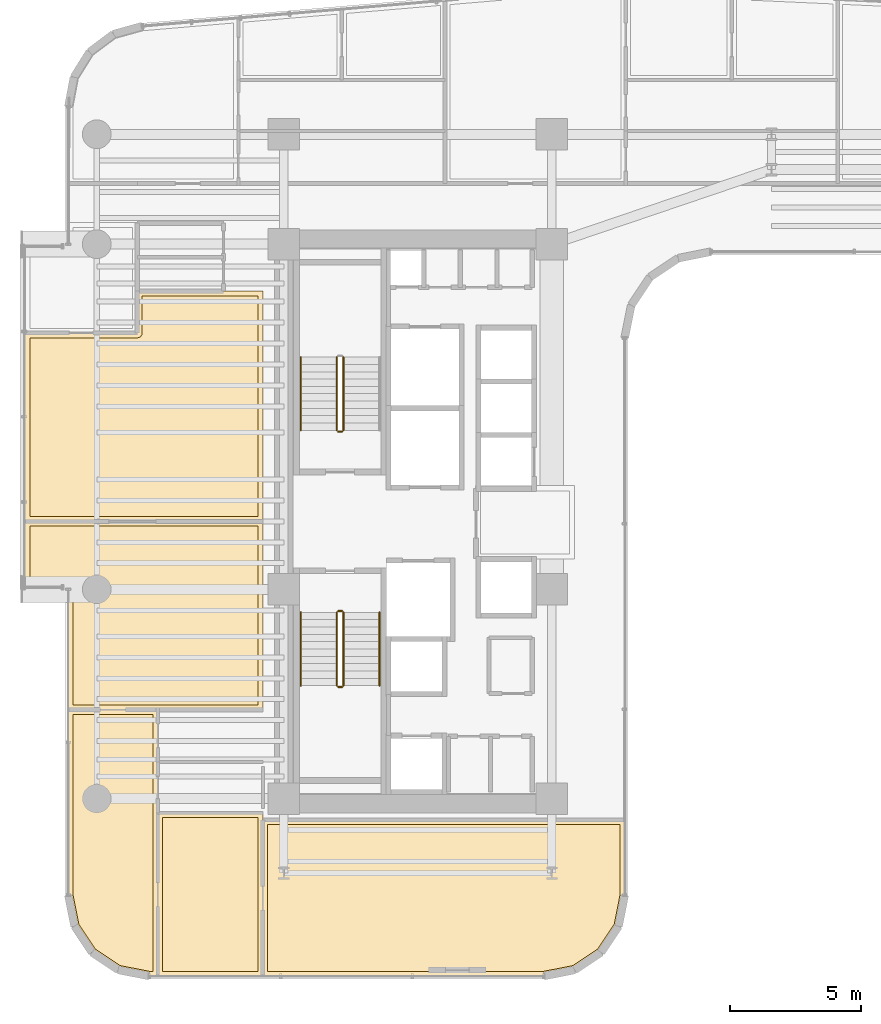
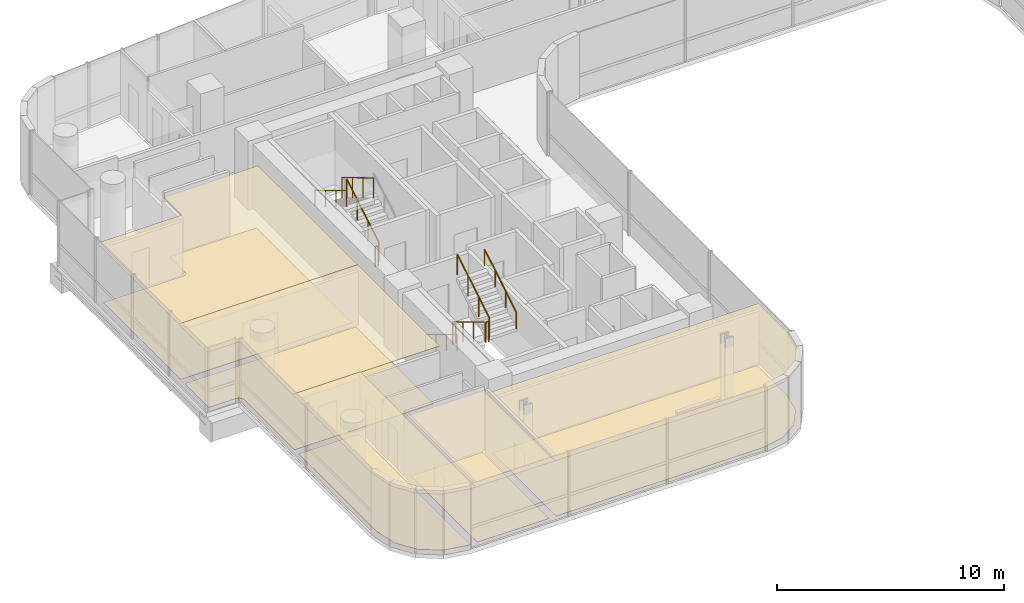
# One storey, part 32 of 36: 10 coverings, 10 railings.
"""IFC4 building model written with IfcOpenShell, lengths in metres."""

import ifcopenshell
import ifcopenshell.guid

model = None  # the IFC model being written
_history = None  # IfcOwnerHistory: only IFC2X3 demands one
_inside = {}  # id of a spatial element -> (the spatial element, [elements in it])
_under = {}  # id of a project, library or spatial element -> (it, [spatial elements below it])
_declared = {}  # id of a project -> (the project, [libraries it declares])
_typed = {}  # id of a type object -> (the type object, [elements of that type])
_made_of = {}  # id of a material, layer set ... -> (it, [elements and type objects made of it])


def new_model(schema):
    """Start an empty IFC model of exactly this schema.

    Asked for "IFC4X3", IfcOpenShell would pick the latest addendum, in which some entities
    have other attributes; the version numbers below select the first issue.
    IFC2X3 requires an IfcOwnerHistory on every rooted entity: one is made here for all.
    """
    global model, _history
    if schema == "IFC4X3":
        model = ifcopenshell.file(schema_version=(4, 3, 0, 0))
    else:
        model = ifcopenshell.file(schema=schema)
    _inside.clear()
    _under.clear()
    _declared.clear()
    _typed.clear()
    _made_of.clear()
    _history = None
    if model.schema == "IFC2X3":
        org = make("IfcOrganization", Name="unknown")
        user = make(
            "IfcPersonAndOrganization",
            ThePerson=make("IfcPerson", FamilyName="unknown"),
            TheOrganization=org,
        )
        app = make(
            "IfcApplication",
            ApplicationDeveloper=org,
            Version="unknown",
            ApplicationFullName="unknown",
            ApplicationIdentifier="unknown",
        )
        _history = make(
            "IfcOwnerHistory",
            OwningUser=user,
            OwningApplication=app,
            ChangeAction="ADDED",
            CreationDate=0,
        )
    return model


def make(cls, **values):
    """One entity of the class cls with the attributes given. An attribute that is None is left unset."""
    return model.create_entity(
        cls, **{name: value for name, value in values.items() if value is not None}
    )


def rooted(cls, **values):
    """An entity with a GlobalId (a new one), such as an element, a storey or a relation."""
    return make(cls, GlobalId=ifcopenshell.guid.new(), OwnerHistory=_history, **values)


def si_unit(unit_type, name, prefix=None):
    """IfcSIUnit, for example si_unit("LENGTHUNIT", "METRE", prefix="MILLI")."""
    return make("IfcSIUnit", UnitType=unit_type, Prefix=prefix, Name=name)


def assignment(units):
    """IfcUnitAssignment: the units of a project."""
    return None if units is None else make("IfcUnitAssignment", Units=units)


def point(xyz):
    """IfcCartesianPoint."""
    return None if xyz is None else make("IfcCartesianPoint", Coordinates=xyz)


def direction(xyz):
    """IfcDirection."""
    return None if xyz is None else make("IfcDirection", DirectionRatios=xyz)


def frame(location, z_axis=None, x_axis=None):
    """IfcAxis2Placement3D, a coordinate frame: its origin and axes. An axis left out is left unset."""
    return make(
        "IfcAxis2Placement3D",
        Location=point(location),
        Axis=direction(z_axis),
        RefDirection=direction(x_axis),
    )


def frame_2d(location, x_axis=None):
    """IfcAxis2Placement2D, a coordinate frame in the plane: its origin and x axis."""
    return make(
        "IfcAxis2Placement2D", Location=point(location), RefDirection=direction(x_axis)
    )


def origin():
    """The frame at (0, 0, 0) with its axes left unset."""
    return frame((0.0, 0.0, 0.0))


def origin_2d():
    """The frame at (0, 0) in the plane with its x axis left unset."""
    return frame_2d((0.0, 0.0))


def place(relative_to, where):
    """IfcLocalPlacement: puts the frame where relative to a parent placement (None: the world)."""
    return make(
        "IfcLocalPlacement", PlacementRelTo=relative_to, RelativePlacement=where
    )


def context(
    kind, dimensions, precision=None, world=None, true_north=None, identifier=None
):
    """IfcGeometricRepresentationContext, for example the 3D "Model" context."""
    return make(
        "IfcGeometricRepresentationContext",
        ContextIdentifier=identifier,
        ContextType=kind,
        CoordinateSpaceDimension=dimensions,
        Precision=precision,
        WorldCoordinateSystem=world,
        TrueNorth=true_north,
    )


def subcontext(parent, identifier, kind, view, scale=None):
    """IfcGeometricRepresentationSubContext, for example "Body" below "Model"."""
    return make(
        "IfcGeometricRepresentationSubContext",
        ContextIdentifier=identifier,
        ContextType=kind,
        ParentContext=parent,
        TargetScale=scale,
        TargetView=view,
    )


def project(units=None, contexts=None):
    """IfcProject with its units and contexts."""
    return rooted(
        "IfcProject",
        Name="project",
        RepresentationContexts=contexts,
        UnitsInContext=assignment(units),
    )


def spatial(cls, under=None, at=None, **own):
    """A site, building, storey or space (cls), placed at a placement, below another one or the project."""
    s = rooted(cls, ObjectPlacement=at, **own)
    if under is not None:
        _under.setdefault(under.id(), (under, []))[1].append(s)
    return s


def polyline(points):
    """IfcPolyline through the points."""
    return make("IfcPolyline", Points=[point(p) for p in points])


def profile(cls, at=None, kind="AREA", **sizes):
    """A parametric profile (cls). Its sizes go by their IFC names, for example OverallWidth=200.0."""
    return make(cls, ProfileType=kind, Position=at, **sizes)


def circle(**sizes):
    """IfcCircleProfileDef."""
    return profile("IfcCircleProfileDef", **sizes)


def outline(outer, holes=None, kind="AREA"):
    """IfcArbitraryClosedProfileDef: a profile drawn as a closed curve; with holes, ...WithVoids."""
    if holes is None:
        return make("IfcArbitraryClosedProfileDef", ProfileType=kind, OuterCurve=outer)
    return make(
        "IfcArbitraryProfileDefWithVoids",
        ProfileType=kind,
        OuterCurve=outer,
        InnerCurves=holes,
    )


def extrude(swept, where, along, depth):
    """IfcExtrudedAreaSolid: the profile swept, set in the frame where, extruded along a direction by depth."""
    return make(
        "IfcExtrudedAreaSolid",
        SweptArea=swept,
        Position=where,
        ExtrudedDirection=direction(along),
        Depth=depth,
    )


def shape(context_of_items, identifier, shape_type, items):
    """IfcShapeRepresentation: the items that make up one representation, for example the "Body"."""
    return make(
        "IfcShapeRepresentation",
        ContextOfItems=context_of_items,
        RepresentationIdentifier=identifier,
        RepresentationType=shape_type,
        Items=items,
    )


def material(Name=None, Category=None):
    """IfcMaterial."""
    return make("IfcMaterial", Name=Name, Category=Category)


def layer(
    of_material, thickness, ventilated=None, Name=None, Category=None, Priority=None
):
    """IfcMaterialLayer: one layer of a wall or slab, of a material (None: an air gap)."""
    return make(
        "IfcMaterialLayer",
        Material=of_material,
        LayerThickness=thickness,
        IsVentilated=ventilated,
        Name=Name,
        Category=Category,
        Priority=Priority,
    )


def layer_set(layers, Name=None):
    """IfcMaterialLayerSet."""
    return make("IfcMaterialLayerSet", MaterialLayers=layers, LayerSetName=Name)


def made_of(thing, what):
    """Note that an element or type object is made of a material, layer set ...; save() writes the relation."""
    if what is not None:
        _made_of.setdefault(what.id(), (what, []))[1].append(thing)
    return thing


def type_object(cls, material=None, **own):
    """A type object (cls), such as IfcWallType, which elements share."""
    return made_of(rooted(cls, **own), material)


def element(
    cls,
    number,
    at=None,
    inside=None,
    cuts=None,
    type_object=None,
    material=None,
    context=None,
    identifier="Body",
    shape_type=None,
    held_by="IfcProductDefinitionShape",
    body=None,
    shapes=None,
    **own,
):
    """One element of the class cls, such as IfcWall. Its Tag is "e" and its number.

    at: its placement. inside: the storey or other place that contains it. cuts: it is an
    opening in that element (IfcRelVoidsElement). A single representation is given by context,
    identifier, shape_type and body (its items); several are given by shapes. held_by: the class
    of the entity that holds the representations. save() writes the other relations.
    """
    e = rooted(cls, Tag="e%d" % number, ObjectPlacement=at, **own)
    if body is not None:
        shapes = [shape(context, identifier, shape_type, body)]
    if shapes is not None:
        e.Representation = make(held_by, Representations=shapes)
    if inside is not None:
        _inside.setdefault(inside.id(), (inside, []))[1].append(e)
    if cuts is not None:
        rooted(
            "IfcRelVoidsElement", RelatingBuildingElement=cuts, RelatedOpeningElement=e
        )
    if type_object is not None:
        _typed.setdefault(type_object.id(), (type_object, []))[1].append(e)
    return made_of(e, material)


def aggregate(whole, parts):
    """IfcRelAggregates: a whole, such as a stair, and the parts it consists of."""
    return rooted("IfcRelAggregates", RelatingObject=whole, RelatedObjects=parts)


def save(model, path):
    """Write the relations noted so far, then the file.

    IfcRelAggregates (storeys below a building ...), IfcRelContainedInSpatialStructure (elements
    in a storey), IfcRelDefinesByType, IfcRelAssociatesMaterial and IfcRelDeclares: one each for
    every whole, place, type object, material and project.
    """
    for whole, parts in _under.values():
        aggregate(whole, parts)
    for where, things in _inside.values():
        rooted(
            "IfcRelContainedInSpatialStructure",
            RelatedElements=things,
            RelatingStructure=where,
        )
    for kind, things in _typed.values():
        rooted("IfcRelDefinesByType", RelatedObjects=things, RelatingType=kind)
    for what, things in _made_of.values():
        rooted("IfcRelAssociatesMaterial", RelatedObjects=things, RelatingMaterial=what)
    for by, libraries in _declared.values():
        rooted("IfcRelDeclares", RelatingContext=by, RelatedDefinitions=libraries)
    model.write(path)


model = new_model("IFC4")

# Units and contexts
model_context = context("Model", 3, precision=1e-05, world=origin(), true_north=direction((0.0, 1.0)))
body_context = subcontext(model_context, "Body", "Model", "MODEL_VIEW")
ifc_project = project(units=[si_unit("LENGTHUNIT", "METRE"), si_unit("AREAUNIT", "SQUARE_METRE"), si_unit("VOLUMEUNIT", "CUBIC_METRE"), si_unit("PLANEANGLEUNIT", "RADIAN"), si_unit("MASSUNIT", "GRAM", prefix="KILO")], contexts=[model_context])

# Site, building, storey
site_placement = place(None, origin())
site = spatial("IfcSite", under=ifc_project, at=site_placement, CompositionType="ELEMENT")
building_placement = place(site_placement, origin())
building = spatial("IfcBuilding", under=site, at=building_placement, Name="Valdorenza Pilgrim Sanctuary Tower", CompositionType="ELEMENT")
storey_placement = place(building_placement, frame((0.0, 0.0, 109.39990234375)))
storey = spatial("IfcBuildingStorey", under=building, at=storey_placement, Name="L27", CompositionType="ELEMENT", Elevation=109.39990234375)

# Coverings
ifc_material_1 = material(Name="Micro-perforated acoustic mineral ceiling tile", Category="gypsum")
ifc_layer_1 = layer(ifc_material_1, 0.02490234375, Name="Micro-perforated acoustic mineral ceiling tile")
ifc_layer_set_1 = layer_set([ifc_layer_1], Name="Micro-perforated acoustic mineral ceiling tile")
covering_type_1 = type_object("IfcCoveringType", Name="COV-CLG-ACU", PredefinedType="CEILING", material=ifc_layer_set_1)
covering_1_placement = place(storey_placement, frame((0.0, 0.0, 3.16015625)))
element("IfcCovering", 1, at=covering_1_placement, inside=storey, type_object=covering_type_1, Name="L27 Sanctuary Apartment L27-CS1 Bedroom Acoustic Ceiling", PredefinedType="CEILING", context=body_context, shape_type="SweptSolid", body=[
    extrude(outline(polyline([(-27.482666015625, -11.14990234375), (-27.482421875, -11.1484375), (-27.482421875, -11.147216796875), (-27.48193359375, -11.1455078125), (-27.4814453125, -11.144287109375), (-27.480712890625, -11.142822265625), (-27.47998046875, -11.1416015625), (-27.479248046875, -11.140380859375), (-27.478271484375, -11.139404296875), (-27.47705078125, -11.138427734375), (-27.475830078125, -11.137451171875), (-27.474609375, -11.13671875), (-27.473388671875, -11.135986328125), (-27.471923828125, -11.135498046875), (-27.470458984375, -11.13525390625), (-27.468994140625, -11.135009765625), (-27.467529296875, -11.135009765625), (-23.449951171875, -11.135009765625), (-23.448486328125, -11.135009765625), (-23.447021484375, -11.13525390625), (-23.445556640625, -11.135498046875), (-23.4443359375, -11.135986328125), (-23.44287109375, -11.13671875), (-23.441650390625, -11.137451171875), (-23.4404296875, -11.138427734375), (-23.439453125, -11.139404296875), (-23.4384765625, -11.140380859375), (-23.4375, -11.1416015625), (-23.436767578125, -11.142822265625), (-23.43603515625, -11.144287109375), (-23.435546875, -11.1455078125), (-23.435302734375, -11.147216796875), (-23.43505859375, -11.1484375), (-23.43505859375, -11.14990234375), (-23.43505859375, -17.389892578125), (-23.43505859375, -17.3916015625), (-23.435302734375, -17.392822265625), (-23.435546875, -17.394287109375), (-23.43603515625, -17.395751953125), (-23.436767578125, -17.397216796875), (-23.4375, -17.398193359375), (-23.4384765625, -17.3994140625), (-23.439453125, -17.400634765625), (-23.4404296875, -17.401611328125), (-23.441650390625, -17.402587890625), (-23.44287109375, -17.4033203125), (-23.4443359375, -17.40380859375), (-23.445556640625, -17.404296875), (-23.447021484375, -17.40478515625), (-23.448486328125, -17.40478515625), (-23.449951171875, -17.405029296875), (-27.467529296875, -17.405029296875), (-27.468994140625, -17.40478515625), (-27.470458984375, -17.40478515625), (-27.471923828125, -17.404296875), (-27.473388671875, -17.40380859375), (-27.474609375, -17.4033203125), (-27.475830078125, -17.402587890625), (-27.47705078125, -17.401611328125), (-27.478271484375, -17.400634765625), (-27.479248046875, -17.3994140625), (-27.47998046875, -17.398193359375), (-27.480712890625, -17.397216796875), (-27.4814453125, -17.395751953125), (-27.48193359375, -17.394287109375), (-27.482421875, -17.392822265625), (-27.482421875, -17.3916015625), (-27.482666015625, -17.389892578125), (-27.482666015625, -11.14990234375)])), origin(), (0.0, 0.0, 1.0), 0.02490234375),
])
covering_2_placement = place(storey_placement, frame((0.0, 0.0, 3.16015625)))
element("IfcCovering", 2, at=covering_2_placement, inside=storey, type_object=covering_type_1, Name="L27 Sanctuary Apartment L27-CS1 Living Room Acoustic Ceiling", PredefinedType="CEILING", context=body_context, shape_type="SweptSolid", body=[
    extrude(outline(polyline([(-28.984619140625, -17.16748046875), (-28.986083984375, -17.1669921875), (-28.9873046875, -17.16650390625), (-28.98876953125, -17.166015625), (-28.989990234375, -17.165283203125), (-29.99169921875, -16.495849609375), (-29.992919921875, -16.4951171875), (-29.993896484375, -16.493896484375), (-29.9951171875, -16.492919921875), (-29.995849609375, -16.49169921875), (-30.665283203125, -15.489990234375), (-30.666015625, -15.48876953125), (-30.66650390625, -15.4873046875), (-30.6669921875, -15.486083984375), (-30.66748046875, -15.484619140625), (-30.90478515625, -14.2919921875), (-30.90478515625, -14.29052734375), (-30.905029296875, -14.289306640625), (-30.905029296875, -7.199951171875), (-30.90478515625, -7.198486328125), (-30.90478515625, -7.197021484375), (-30.904296875, -7.195556640625), (-30.90380859375, -7.1943359375), (-30.9033203125, -7.19287109375), (-30.902587890625, -7.191650390625), (-30.901611328125, -7.1904296875), (-30.900634765625, -7.189453125), (-30.8994140625, -7.1884765625), (-30.898193359375, -7.1875), (-30.897216796875, -7.186767578125), (-30.895751953125, -7.18603515625), (-30.894287109375, -7.185546875), (-30.892822265625, -7.185302734375), (-30.8916015625, -7.18505859375), (-30.889892578125, -7.18505859375), (-27.467529296875, -7.18505859375), (-27.466064453125, -7.18505859375), (-27.464599609375, -7.185302734375), (-27.463134765625, -7.185546875), (-27.4619140625, -7.18603515625), (-27.46044921875, -7.186767578125), (-27.459228515625, -7.1875), (-27.4580078125, -7.1884765625), (-27.45703125, -7.189453125), (-27.4560546875, -7.1904296875), (-27.455078125, -7.191650390625), (-27.454345703125, -7.19287109375), (-27.45361328125, -7.1943359375), (-27.453125, -7.195556640625), (-27.452880859375, -7.197021484375), (-27.45263671875, -7.198486328125), (-27.45263671875, -7.199951171875), (-27.45263671875, -11.14794921875), (-27.45263671875, -11.1494140625), (-27.452880859375, -11.15087890625), (-27.453369140625, -11.152587890625), (-27.453857421875, -11.15380859375), (-27.45458984375, -11.1552734375), (-27.45458984375, -11.155517578125), (-27.45458984375, -17.389892578125), (-27.45458984375, -17.3916015625), (-27.454833984375, -17.392822265625), (-27.455078125, -17.394287109375), (-27.455810546875, -17.395751953125), (-27.456298828125, -17.397216796875), (-27.45703125, -17.398193359375), (-27.4580078125, -17.3994140625), (-27.458984375, -17.400634765625), (-27.460205078125, -17.401611328125), (-27.461181640625, -17.402587890625), (-27.46240234375, -17.4033203125), (-27.4638671875, -17.40380859375), (-27.465087890625, -17.404296875), (-27.466796875, -17.40478515625), (-27.468017578125, -17.40478515625), (-27.469482421875, -17.405029296875), (-27.789306640625, -17.405029296875), (-27.79052734375, -17.40478515625), (-27.7919921875, -17.40478515625), (-28.984619140625, -17.16748046875)])), origin(), (0.0, 0.0, 1.0), 0.02490234375),
])
covering_3_placement = place(storey_placement, frame((0.0, 0.0, 3.16015625)))
element("IfcCovering", 3, at=covering_3_placement, inside=storey, type_object=covering_type_1, Name="L27 South Contemplation Salon L27 Acoustic Ceiling", PredefinedType="CEILING", context=body_context, shape_type="SweptSolid", body=[
    extrude(outline(polyline([(-27.469482421875, -7.212890625), (-30.889892578125, -7.212890625), (-30.8916015625, -7.212890625), (-30.892822265625, -7.212646484375), (-30.894287109375, -7.21240234375), (-30.895751953125, -7.2119140625), (-30.897216796875, -7.211181640625), (-30.898193359375, -7.21044921875), (-30.8994140625, -7.209716796875), (-30.900634765625, -7.20849609375), (-30.901611328125, -7.20751953125), (-30.902587890625, -7.206298828125), (-30.9033203125, -7.205078125), (-30.90380859375, -7.20361328125), (-30.904296875, -7.202392578125), (-30.90478515625, -7.200927734375), (-30.90478515625, -7.199462890625), (-30.905029296875, -7.197998046875), (-30.905029296875, -2.600341796875), (-30.905517578125, -2.5908203125), (-30.90673828125, -2.58154296875), (-30.9091796875, -2.572509765625), (-30.912109375, -2.563720703125), (-30.916259765625, -2.55517578125), (-30.9208984375, -2.547119140625), (-30.926513671875, -2.539794921875), (-30.932861328125, -2.53271484375), (-30.939697265625, -2.526611328125), (-30.947265625, -2.52099609375), (-30.955078125, -2.51611328125), (-30.963623046875, -2.51220703125), (-30.972412109375, -2.509033203125), (-30.9814453125, -2.5068359375), (-30.99072265625, -2.505615234375), (-31.00048828125, -2.5048828125), (-32.5400390625, -2.5048828125), (-32.54150390625, -2.5048828125), (-32.54296875, -2.504638671875), (-32.54443359375, -2.50439453125), (-32.545654296875, -2.50390625), (-32.547119140625, -2.503173828125), (-32.54833984375, -2.50244140625), (-32.549560546875, -2.501708984375), (-32.550537109375, -2.50048828125), (-32.551513671875, -2.49951171875), (-32.552490234375, -2.498291015625), (-32.55322265625, -2.4970703125), (-32.553955078125, -2.49560546875), (-32.554443359375, -2.494384765625), (-32.5546875, -2.492919921875), (-32.554931640625, -2.491455078125), (-32.554931640625, -2.489990234375), (-32.554931640625, 0.0), (-32.554931640625, 0.00146484375), (-32.5546875, 0.0029296875), (-32.554443359375, 0.00439453125), (-32.553955078125, 0.005615234375), (-32.55322265625, 0.007080078125), (-32.552490234375, 0.00830078125), (-32.551513671875, 0.009521484375), (-32.550537109375, 0.010498046875), (-32.549560546875, 0.01171875), (-32.54833984375, 0.012451171875), (-32.547119140625, 0.01318359375), (-32.545654296875, 0.013916015625), (-32.54443359375, 0.014404296875), (-32.54296875, 0.0146484375), (-32.54150390625, 0.014892578125), (-32.5400390625, 0.014892578125), (-23.449951171875, 0.014892578125), (-23.448486328125, 0.014892578125), (-23.447021484375, 0.0146484375), (-23.445556640625, 0.014404296875), (-23.4443359375, 0.013916015625), (-23.44287109375, 0.01318359375), (-23.441650390625, 0.012451171875), (-23.4404296875, 0.01171875), (-23.439453125, 0.010498046875), (-23.4384765625, 0.009521484375), (-23.4375, 0.00830078125), (-23.436767578125, 0.007080078125), (-23.43603515625, 0.005615234375), (-23.435546875, 0.00439453125), (-23.435302734375, 0.0029296875), (-23.43505859375, 0.00146484375), (-23.43505859375, 0.0), (-23.43505859375, -7.197998046875), (-23.43505859375, -7.199462890625), (-23.435302734375, -7.200927734375), (-23.435546875, -7.202392578125), (-23.43603515625, -7.20361328125), (-23.436767578125, -7.205078125), (-23.4375, -7.206298828125), (-23.4384765625, -7.20751953125), (-23.439453125, -7.20849609375), (-23.4404296875, -7.209716796875), (-23.441650390625, -7.21044921875), (-23.44287109375, -7.211181640625), (-23.4443359375, -7.2119140625), (-23.445556640625, -7.21240234375), (-23.447021484375, -7.212646484375), (-23.448486328125, -7.212890625), (-23.449951171875, -7.212890625), (-27.4638671875, -7.212890625), (-27.464599609375, -7.213134765625), (-27.466064453125, -7.21337890625), (-27.467529296875, -7.213134765625), (-27.468994140625, -7.213134765625), (-27.469482421875, -7.212890625)])), origin(), (0.0, 0.0, 1.0), 0.02490234375),
])
covering_4_placement = place(storey_placement, frame((0.0, 0.0, 3.16015625)))
element("IfcCovering", 4, at=covering_4_placement, inside=storey, type_object=covering_type_1, Name="L27 North Contemplation Salon L27 Acoustic Ceiling", PredefinedType="CEILING", context=body_context, shape_type="SweptSolid", body=[
    extrude(outline(polyline([(-28.262939453125, 7.212890625), (-28.262939453125, 8.798095703125), (-28.262939453125, 8.799560546875), (-28.2626953125, 8.80078125), (-28.262451171875, 8.802490234375), (-28.261962890625, 8.8037109375), (-28.26123046875, 8.80517578125), (-28.260498046875, 8.806396484375), (-28.259521484375, 8.8076171875), (-28.258544921875, 8.80859375), (-28.257568359375, 8.8095703125), (-28.25634765625, 8.810546875), (-28.255126953125, 8.811279296875), (-28.253662109375, 8.81201171875), (-28.25244140625, 8.8125), (-28.2509765625, 8.812744140625), (-28.24951171875, 8.81298828125), (-28.248046875, 8.81298828125), (-24.955322265625, 8.81298828125), (-24.954833984375, 8.813232421875), (-24.95361328125, 8.81396484375), (-24.9521484375, 8.814453125), (-24.95068359375, 8.814697265625), (-24.949462890625, 8.81494140625), (-24.947998046875, 8.81494140625), (-23.449951171875, 8.81494140625), (-23.448486328125, 8.81494140625), (-23.447021484375, 8.814697265625), (-23.445556640625, 8.814453125), (-23.4443359375, 8.81396484375), (-23.44287109375, 8.813232421875), (-23.441650390625, 8.8125), (-23.4404296875, 8.8115234375), (-23.439453125, 8.810546875), (-23.4384765625, 8.8095703125), (-23.4375, 8.808349609375), (-23.436767578125, 8.80712890625), (-23.43603515625, 8.8056640625), (-23.435546875, 8.804443359375), (-23.435302734375, 8.802978515625), (-23.43505859375, 8.801513671875), (-23.43505859375, 8.800048828125), (-23.43505859375, 0.001953125), (-23.43505859375, 0.00048828125), (-23.435302734375, -0.0009765625), (-23.435546875, -0.00244140625), (-23.43603515625, -0.003662109375), (-23.436767578125, -0.005126953125), (-23.4375, -0.00634765625), (-23.4384765625, -0.007568359375), (-23.439453125, -0.008544921875), (-23.4404296875, -0.009521484375), (-23.441650390625, -0.010498046875), (-23.44287109375, -0.01123046875), (-23.4443359375, -0.011962890625), (-23.445556640625, -0.012451171875), (-23.447021484375, -0.0126953125), (-23.448486328125, -0.012939453125), (-23.449951171875, -0.012939453125), (-32.5400390625, -0.012939453125), (-32.54150390625, -0.012939453125), (-32.54296875, -0.0126953125), (-32.54443359375, -0.012451171875), (-32.545654296875, -0.011962890625), (-32.547119140625, -0.01123046875), (-32.54833984375, -0.010498046875), (-32.549560546875, -0.009521484375), (-32.550537109375, -0.008544921875), (-32.551513671875, -0.007568359375), (-32.552490234375, -0.00634765625), (-32.55322265625, -0.005126953125), (-32.553955078125, -0.003662109375), (-32.554443359375, -0.00244140625), (-32.5546875, -0.0009765625), (-32.554931640625, 0.00048828125), (-32.554931640625, 0.001953125), (-32.554931640625, 7.197998046875), (-32.554931640625, 7.199462890625), (-32.5546875, 7.200927734375), (-32.554443359375, 7.202392578125), (-32.553955078125, 7.20361328125), (-32.55322265625, 7.205078125), (-32.552490234375, 7.206298828125), (-32.551513671875, 7.20751953125), (-32.550537109375, 7.20849609375), (-32.549560546875, 7.209716796875), (-32.54833984375, 7.21044921875), (-32.547119140625, 7.211181640625), (-32.545654296875, 7.2119140625), (-32.54443359375, 7.21240234375), (-32.54296875, 7.212646484375), (-32.54150390625, 7.212890625), (-32.5400390625, 7.212890625), (-28.262939453125, 7.212890625)])), origin(), (0.0, 0.0, 1.0), 0.02490234375),
])
covering_5_placement = place(storey_placement, frame((0.0, 0.0, 3.16015625)))
element("IfcCovering", 5, at=covering_5_placement, inside=storey, type_object=covering_type_1, Name="L27 Sacred Archive Reading Library L27-S Acoustic Ceiling", PredefinedType="CEILING", context=body_context, shape_type="SweptSolid", body=[
    extrude(outline(polyline([(-9.610107421875, -11.405029296875), (-9.6083984375, -11.405029296875), (-9.607177734375, -11.4052734375), (-9.605712890625, -11.405517578125), (-9.604248046875, -11.406005859375), (-9.602783203125, -11.40673828125), (-9.601806640625, -11.407470703125), (-9.6005859375, -11.408447265625), (-9.599365234375, -11.409423828125), (-9.598388671875, -11.410400390625), (-9.597412109375, -11.41162109375), (-9.5966796875, -11.412841796875), (-9.59619140625, -11.414306640625), (-9.595703125, -11.41552734375), (-9.59521484375, -11.4169921875), (-9.59521484375, -11.41845703125), (-9.594970703125, -11.419921875), (-9.594970703125, -14.289306640625), (-9.59521484375, -14.29052734375), (-9.59521484375, -14.2919921875), (-9.83251953125, -15.484619140625), (-9.8330078125, -15.486083984375), (-9.83349609375, -15.4873046875), (-9.833984375, -15.48876953125), (-9.834716796875, -15.489990234375), (-10.504150390625, -16.49169921875), (-10.5048828125, -16.492919921875), (-10.506103515625, -16.493896484375), (-10.507080078125, -16.4951171875), (-10.50830078125, -16.495849609375), (-11.510009765625, -17.165283203125), (-11.51123046875, -17.166015625), (-11.5126953125, -17.16650390625), (-11.513916015625, -17.1669921875), (-11.515380859375, -17.16748046875), (-12.7080078125, -17.40478515625), (-12.70947265625, -17.40478515625), (-12.710693359375, -17.405029296875), (-23.447998046875, -17.405029296875), (-23.449462890625, -17.40478515625), (-23.450927734375, -17.40478515625), (-23.452392578125, -17.404296875), (-23.45361328125, -17.40380859375), (-23.455078125, -17.4033203125), (-23.456298828125, -17.402587890625), (-23.45751953125, -17.401611328125), (-23.45849609375, -17.400634765625), (-23.459716796875, -17.3994140625), (-23.46044921875, -17.398193359375), (-23.461181640625, -17.397216796875), (-23.4619140625, -17.395751953125), (-23.46240234375, -17.394287109375), (-23.462646484375, -17.392822265625), (-23.462890625, -17.3916015625), (-23.462890625, -17.389892578125), (-23.462890625, -11.419921875), (-23.462890625, -11.41845703125), (-23.462646484375, -11.4169921875), (-23.46240234375, -11.41552734375), (-23.4619140625, -11.414306640625), (-23.461181640625, -11.412841796875), (-23.46044921875, -11.41162109375), (-23.459716796875, -11.410400390625), (-23.45849609375, -11.409423828125), (-23.45751953125, -11.408447265625), (-23.456298828125, -11.407470703125), (-23.455078125, -11.40673828125), (-23.45361328125, -11.406005859375), (-23.452392578125, -11.405517578125), (-23.450927734375, -11.4052734375), (-23.449462890625, -11.405029296875), (-23.447998046875, -11.405029296875), (-9.610107421875, -11.405029296875)])), origin(), (0.0, 0.0, 1.0), 0.02490234375),
])
ifc_material_2 = material(Name="Engineered European oak timber flooring", Category="wood")
ifc_layer_2 = layer(ifc_material_2, 0.02197265625, Name="Engineered European oak timber flooring")
ifc_layer_set_2 = layer_set([ifc_layer_2], Name="Engineered European oak timber flooring")
covering_type_2 = type_object("IfcCoveringType", Name="COV-FLR-OAK", PredefinedType="FLOORING", material=ifc_layer_set_2)
covering_6_placement = place(storey_placement, origin())
element("IfcCovering", 6, at=covering_6_placement, inside=storey, type_object=covering_type_2, Name="L27 Sanctuary Apartment L27-CS1 Bedroom Flooring", PredefinedType="FLOORING", context=body_context, shape_type="SweptSolid", body=[
    extrude(outline(polyline([(-27.28759765625, -11.330078125), (-23.6298828125, -11.330078125), (-23.6298828125, -17.2099609375), (-27.28759765625, -17.2099609375), (-27.28759765625, -11.330078125)])), origin(), (0.0, 0.0, 1.0), 0.025146484375),
])
covering_7_placement = place(storey_placement, origin())
element("IfcCovering", 7, at=covering_7_placement, inside=storey, type_object=covering_type_2, Name="L27 Sanctuary Apartment L27-CS1 Living Room Flooring", PredefinedType="FLOORING", context=body_context, shape_type="SweptSolid", body=[
    extrude(outline(polyline([(-28.911376953125, -16.983154296875), (-29.853515625, -16.353515625), (-30.483154296875, -15.411376953125), (-30.7099609375, -14.271484375), (-30.7099609375, -7.3798828125), (-27.647705078125, -7.3798828125), (-27.647705078125, -11.123046875), (-27.647705078125, -11.123291015625), (-27.647705078125, -11.123291015625), (-27.6494140625, -11.14111328125), (-27.6494140625, -11.14111328125), (-27.649658203125, -11.14990234375), (-27.649658203125, -17.2099609375), (-27.771484375, -17.2099609375), (-28.911376953125, -16.983154296875)])), origin(), (0.0, 0.0, 1.0), 0.025146484375),
])
ifc_material_3 = material(Name="Honed travertine stone flooring", Category="masonry")
ifc_layer_3 = layer(ifc_material_3, 0.030029296875, Name="Honed travertine stone flooring")
ifc_layer_set_3 = layer_set([ifc_layer_3], Name="Honed travertine stone flooring")
covering_type_3 = type_object("IfcCoveringType", Name="COV-FLR-TRV", PredefinedType="FLOORING", material=ifc_layer_set_3)
covering_8_placement = place(storey_placement, origin())
element("IfcCovering", 8, at=covering_8_placement, inside=storey, type_object=covering_type_3, Name="L27 South Contemplation Salon L27 Flooring", PredefinedType="FLOORING", context=body_context, shape_type="SweptSolid", body=[
    extrude(outline(polyline([(-27.46728515625, -7.01806640625), (-27.467529296875, -7.01806640625), (-30.7099609375, -7.01806640625), (-30.7099609375, -2.60009765625), (-30.710205078125, -2.59130859375), (-30.710693359375, -2.580322265625), (-30.71240234375, -2.562744140625), (-30.714111328125, -2.552001953125), (-30.717529296875, -2.534912109375), (-30.72021484375, -2.5244140625), (-30.725341796875, -2.50732421875), (-30.72900390625, -2.497314453125), (-30.735595703125, -2.48095703125), (-30.740234375, -2.47119140625), (-30.74853515625, -2.45556640625), (-30.754150390625, -2.4462890625), (-30.763916015625, -2.431640625), (-30.7705078125, -2.423095703125), (-30.781494140625, -2.4091796875), (-30.788818359375, -2.4013671875), (-30.80126953125, -2.388916015625), (-30.809326171875, -2.381591796875), (-30.822998046875, -2.370361328125), (-30.831787109375, -2.364013671875), (-30.84619140625, -2.35400390625), (-30.855712890625, -2.3486328125), (-30.87109375, -2.34033203125), (-30.880859375, -2.335693359375), (-30.897216796875, -2.328857421875), (-30.907470703125, -2.3251953125), (-30.92431640625, -2.320068359375), (-30.934814453125, -2.3173828125), (-30.9521484375, -2.314208984375), (-30.962890625, -2.3125), (-30.98046875, -2.310791015625), (-30.9912109375, -2.310302734375), (-31.0, -2.31005859375), (-32.360107421875, -2.31005859375), (-32.360107421875, -0.179931640625), (-23.6298828125, -0.179931640625), (-23.6298828125, -7.01806640625), (-27.465576171875, -7.01806640625), (-27.466552734375, -7.01806640625), (-27.46728515625, -7.01806640625)])), origin(), (0.0, 0.0, 1.0), 0.025146484375),
])
covering_9_placement = place(storey_placement, origin())
element("IfcCovering", 9, at=covering_9_placement, inside=storey, type_object=covering_type_3, Name="L27 North Contemplation Salon L27 Flooring", PredefinedType="FLOORING", context=body_context, shape_type="SweptSolid", body=[
    extrude(outline(polyline([(-23.6298828125, 8.619873046875), (-23.6298828125, 0.181884765625), (-32.360107421875, 0.181884765625), (-32.360107421875, 7.01806640625), (-28.25, 7.01806640625), (-28.2412109375, 7.018310546875), (-28.240966796875, 7.018310546875), (-28.223388671875, 7.02001953125), (-28.22314453125, 7.02001953125), (-28.205810546875, 7.0234375), (-28.205810546875, 7.0234375), (-28.188720703125, 7.028564453125), (-28.188720703125, 7.02880859375), (-28.17236328125, 7.035400390625), (-28.172119140625, 7.035400390625), (-28.156494140625, 7.043701171875), (-28.156494140625, 7.0439453125), (-28.1416015625, 7.0537109375), (-28.1416015625, 7.053955078125), (-28.1279296875, 7.065185546875), (-28.127685546875, 7.065185546875), (-28.115234375, 7.07763671875), (-28.114990234375, 7.077880859375), (-28.10400390625, 7.091552734375), (-28.103759765625, 7.091796875), (-28.093994140625, 7.1064453125), (-28.09375, 7.1064453125), (-28.08544921875, 7.1220703125), (-28.08544921875, 7.122314453125), (-28.07861328125, 7.138671875), (-28.07861328125, 7.138916015625), (-28.073486328125, 7.15576171875), (-28.073486328125, 7.156005859375), (-28.070068359375, 7.173095703125), (-28.070068359375, 7.17333984375), (-28.068115234375, 7.19091796875), (-28.068115234375, 7.191162109375), (-28.068115234375, 7.199951171875), (-28.068115234375, 8.617919921875), (-24.949951171875, 8.617919921875), (-24.94970703125, 8.617919921875), (-23.6298828125, 8.619873046875)])), origin(), (0.0, 0.0, 1.0), 0.025146484375),
])
covering_10_placement = place(storey_placement, origin())
element("IfcCovering", 10, at=covering_10_placement, inside=storey, type_object=covering_type_3, Name="L27 Sacred Archive Reading Library L27-S Flooring", PredefinedType="FLOORING", context=body_context, shape_type="SweptSolid", body=[
    extrude(outline(polyline([(-9.7900390625, -11.60009765625), (-9.7900390625, -14.271484375), (-10.016845703125, -15.411376953125), (-10.646484375, -16.353515625), (-11.588623046875, -16.983154296875), (-12.728515625, -17.2099609375), (-23.26806640625, -17.2099609375), (-23.26806640625, -11.60009765625), (-9.7900390625, -11.60009765625)])), origin(), (0.0, 0.0, 1.0), 0.025146484375),
])

# Railings
ifc_material_4 = material(Name="Stainless steel Grade 316", Category="steel")
railing_type_1 = type_object("IfcRailingType", Name="RLG-GRD-1120", PredefinedType="GUARDRAIL", material=ifc_material_4)
railing_1_placement = place(storey_placement, frame((-20.3701171875, 3.47998046875, 0.168212890625)))
element("IfcRailing", 11, at=railing_1_placement, inside=storey, type_object=railing_type_1, Name="L27 ST-A1 stair guard 1", PredefinedType="GUARDRAIL", context=body_context, shape_type="SweptSolid", body=[
    extrude(circle(Radius=0.02392578125, at=origin_2d()), frame((0.0, 0.0, 1.076171875), z_axis=(0.0, 0.857242210791, 0.514913383045), x_axis=(-1.0, 0.0, 0.0)), (0.0, 0.0, 1.0), 3.266357421875),
    extrude(circle(Radius=0.02099609375, at=origin_2d()), origin(), (0.0, 0.0, 1.0), 1.052001953125),
    extrude(circle(Radius=0.02099609375, at=origin_2d()), frame((0.0, 0.933349609375, 0.560546875)), (0.0, 0.0, 1.0), 1.052001953125),
    extrude(circle(Radius=0.02099609375, at=origin_2d()), frame((0.0, 1.86669921875, 1.121337890625)), (0.0, 0.0, 1.0), 1.052001953125),
    extrude(circle(Radius=0.02099609375, at=origin_2d()), frame((0.0, 2.800048828125, 1.681884765625)), (0.0, 0.0, 1.0), 1.052001953125),
])
railing_2_placement = place(storey_placement, frame((-20.6201171875, 6.280029296875, 2.018310546875)))
element("IfcRailing", 12, at=railing_2_placement, inside=storey, type_object=railing_type_1, Name="L27 ST-A1 stair guard 3", PredefinedType="GUARDRAIL", context=body_context, shape_type="SweptSolid", body=[
    extrude(circle(Radius=0.02392578125, at=origin_2d()), frame((0.0, 0.0, 1.076171875), z_axis=(0.0, -0.857242210791, 0.514913383045), x_axis=(1.0, 0.0, 0.0)), (0.0, 0.0, 1.0), 3.266357421875),
    extrude(circle(Radius=0.02099609375, at=origin_2d()), origin(), (0.0, 0.0, 1.0), 1.052001953125),
    extrude(circle(Radius=0.02099609375, at=origin_2d()), frame((0.0, -0.933349609375, 0.560546875)), (0.0, 0.0, 1.0), 1.052001953125),
    extrude(circle(Radius=0.02099609375, at=origin_2d()), frame((0.0, -1.86669921875, 1.121337890625)), (0.0, 0.0, 1.0), 1.052001953125),
    extrude(circle(Radius=0.02099609375, at=origin_2d()), frame((0.0, -2.800048828125, 1.681884765625)), (0.0, 0.0, 1.0), 1.052001953125),
])
railing_3_placement = place(storey_placement, frame((-20.419921875, 3.429931640625, 0.0)))
element("IfcRailing", 13, at=railing_3_placement, inside=storey, type_object=railing_type_1, Name="L27 ST-A1 stair guard 4", PredefinedType="GUARDRAIL", context=body_context, shape_type="SweptSolid", body=[
    extrude(circle(Radius=0.02392578125, at=origin_2d()), frame((0.0, 0.0, 1.076171875), z_axis=(-1.0, 0.0, 0.0), x_axis=(0.0, -1.0, 0.0)), (0.0, 0.0, 1.0), 0.150146484375),
    extrude(circle(Radius=0.02099609375, at=origin_2d()), origin(), (0.0, 0.0, 1.0), 1.052001953125),
    extrude(circle(Radius=0.02099609375, at=origin_2d()), frame((-0.150146484375, 0.0, 0.0)), (0.0, 0.0, 1.0), 1.052001953125),
])
railing_4_placement = place(storey_placement, frame((-20.6201171875, -3.47998046875, 0.168212890625)))
element("IfcRailing", 14, at=railing_4_placement, inside=storey, type_object=railing_type_1, Name="L27 ST-A2 stair guard 1", PredefinedType="GUARDRAIL", context=body_context, shape_type="SweptSolid", body=[
    extrude(circle(Radius=0.02392578125, at=origin_2d()), frame((0.0, 0.0, 1.076171875), z_axis=(0.0, -0.857242210791, 0.514913383045), x_axis=(1.0, 0.0, 0.0)), (0.0, 0.0, 1.0), 3.266357421875),
    extrude(circle(Radius=0.02099609375, at=origin_2d()), origin(), (0.0, 0.0, 1.0), 1.052001953125),
    extrude(circle(Radius=0.02099609375, at=origin_2d()), frame((0.0, -0.933349609375, 0.560546875)), (0.0, 0.0, 1.0), 1.052001953125),
    extrude(circle(Radius=0.02099609375, at=origin_2d()), frame((0.0, -1.86669921875, 1.121337890625)), (0.0, 0.0, 1.0), 1.052001953125),
    extrude(circle(Radius=0.02099609375, at=origin_2d()), frame((0.0, -2.800048828125, 1.681884765625)), (0.0, 0.0, 1.0), 1.052001953125),
])
railing_5_placement = place(storey_placement, frame((-20.570068359375, -6.330078125, 1.85009765625)))
element("IfcRailing", 15, at=railing_5_placement, inside=storey, type_object=railing_type_1, Name="L27 ST-A2 stair guard 2", PredefinedType="GUARDRAIL", context=body_context, shape_type="SweptSolid", body=[
    extrude(circle(Radius=0.02392578125, at=origin_2d()), frame((0.0, 0.0, 1.076171875), z_axis=(1.0, 0.0, 0.0), x_axis=(0.0, 1.0, 0.0)), (0.0, 0.0, 1.0), 0.150146484375),
    extrude(circle(Radius=0.02099609375, at=origin_2d()), origin(), (0.0, 0.0, 1.0), 1.052001953125),
    extrude(circle(Radius=0.02099609375, at=origin_2d()), frame((0.150146484375, 0.0, 0.0)), (0.0, 0.0, 1.0), 1.052001953125),
])
railing_6_placement = place(storey_placement, frame((-20.3701171875, -6.280029296875, 2.018310546875)))
element("IfcRailing", 16, at=railing_6_placement, inside=storey, type_object=railing_type_1, Name="L27 ST-A2 stair guard 3", PredefinedType="GUARDRAIL", context=body_context, shape_type="SweptSolid", body=[
    extrude(circle(Radius=0.02392578125, at=origin_2d()), frame((0.0, 0.0, 1.076171875), z_axis=(0.0, 0.857242210791, 0.514913383045), x_axis=(-1.0, 0.0, 0.0)), (0.0, 0.0, 1.0), 3.266357421875),
    extrude(circle(Radius=0.02099609375, at=origin_2d()), origin(), (0.0, 0.0, 1.0), 1.052001953125),
    extrude(circle(Radius=0.02099609375, at=origin_2d()), frame((0.0, 0.933349609375, 0.560546875)), (0.0, 0.0, 1.0), 1.052001953125),
    extrude(circle(Radius=0.02099609375, at=origin_2d()), frame((0.0, 1.86669921875, 1.121337890625)), (0.0, 0.0, 1.0), 1.052001953125),
    extrude(circle(Radius=0.02099609375, at=origin_2d()), frame((0.0, 2.800048828125, 1.681884765625)), (0.0, 0.0, 1.0), 1.052001953125),
])
railing_7_placement = place(storey_placement, frame((-20.570068359375, -3.429931640625, 0.0)))
element("IfcRailing", 17, at=railing_7_placement, inside=storey, type_object=railing_type_1, Name="L27 ST-A2 stair guard 4", PredefinedType="GUARDRAIL", context=body_context, shape_type="SweptSolid", body=[
    extrude(circle(Radius=0.02392578125, at=origin_2d()), frame((0.0, 0.0, 1.076171875), z_axis=(1.0, 0.0, 0.0), x_axis=(0.0, 1.0, 0.0)), (0.0, 0.0, 1.0), 0.150146484375),
    extrude(circle(Radius=0.02099609375, at=origin_2d()), origin(), (0.0, 0.0, 1.0), 1.052001953125),
    extrude(circle(Radius=0.02099609375, at=origin_2d()), frame((0.150146484375, 0.0, 0.0)), (0.0, 0.0, 1.0), 1.052001953125),
])
ifc_material_5 = material(Name="Brushed stainless steel Grade 316", Category="steel")
railing_type_2 = type_object("IfcRailingType", Name="RLG-HND-920", PredefinedType="HANDRAIL", material=ifc_material_5)
for number, where, name in (
    (18, (-22.0, 6.280029296875, 2.018310546875), "L27 ST-A1 stair handrail 2"),
    (19, (-22.0, -3.47998046875, 0.168212890625), "L27 ST-A2 stair handrail 1"),
):
    element("IfcRailing", number, at=place(storey_placement, frame(where)), inside=storey, type_object=railing_type_2, Name=name, PredefinedType="HANDRAIL", context=body_context, shape_type="SweptSolid", body=[
        extrude(circle(Radius=0.02392578125, at=origin_2d()), frame((0.0, 0.0, 0.8759765625), z_axis=(0.0, -0.857242210791, 0.514913383045), x_axis=(1.0, 0.0, 0.0)), (0.0, 0.0, 1.0), 3.266357421875),
        extrude(circle(Radius=0.02099609375, at=origin_2d()), origin(), (0.0, 0.0, 1.0), 0.851806640625),
        extrude(circle(Radius=0.02099609375, at=origin_2d()), frame((0.0, -0.933349609375, 0.560546875)), (0.0, 0.0, 1.0), 0.851806640625),
        extrude(circle(Radius=0.02099609375, at=origin_2d()), frame((0.0, -1.86669921875, 1.121337890625)), (0.0, 0.0, 1.0), 0.851806640625),
        extrude(circle(Radius=0.02099609375, at=origin_2d()), frame((0.0, -2.800048828125, 1.681884765625)), (0.0, 0.0, 1.0), 0.851806640625),
    ])
railing_8_placement = place(storey_placement, frame((-18.989990234375, -6.280029296875, 2.018310546875)))
element("IfcRailing", 20, at=railing_8_placement, inside=storey, type_object=railing_type_2, Name="L27 ST-A2 stair handrail 2", PredefinedType="HANDRAIL", context=body_context, shape_type="SweptSolid", body=[
    extrude(circle(Radius=0.02392578125, at=origin_2d()), frame((0.0, 0.0, 0.8759765625), z_axis=(0.0, 0.857242210791, 0.514913383045), x_axis=(-1.0, 0.0, 0.0)), (0.0, 0.0, 1.0), 3.266357421875),
    extrude(circle(Radius=0.02099609375, at=origin_2d()), origin(), (0.0, 0.0, 1.0), 0.851806640625),
    extrude(circle(Radius=0.02099609375, at=origin_2d()), frame((0.0, 0.933349609375, 0.560546875)), (0.0, 0.0, 1.0), 0.851806640625),
    extrude(circle(Radius=0.02099609375, at=origin_2d()), frame((0.0, 1.86669921875, 1.121337890625)), (0.0, 0.0, 1.0), 0.851806640625),
    extrude(circle(Radius=0.02099609375, at=origin_2d()), frame((0.0, 2.800048828125, 1.681884765625)), (0.0, 0.0, 1.0), 0.851806640625),
])

save(model, "model.ifc")
